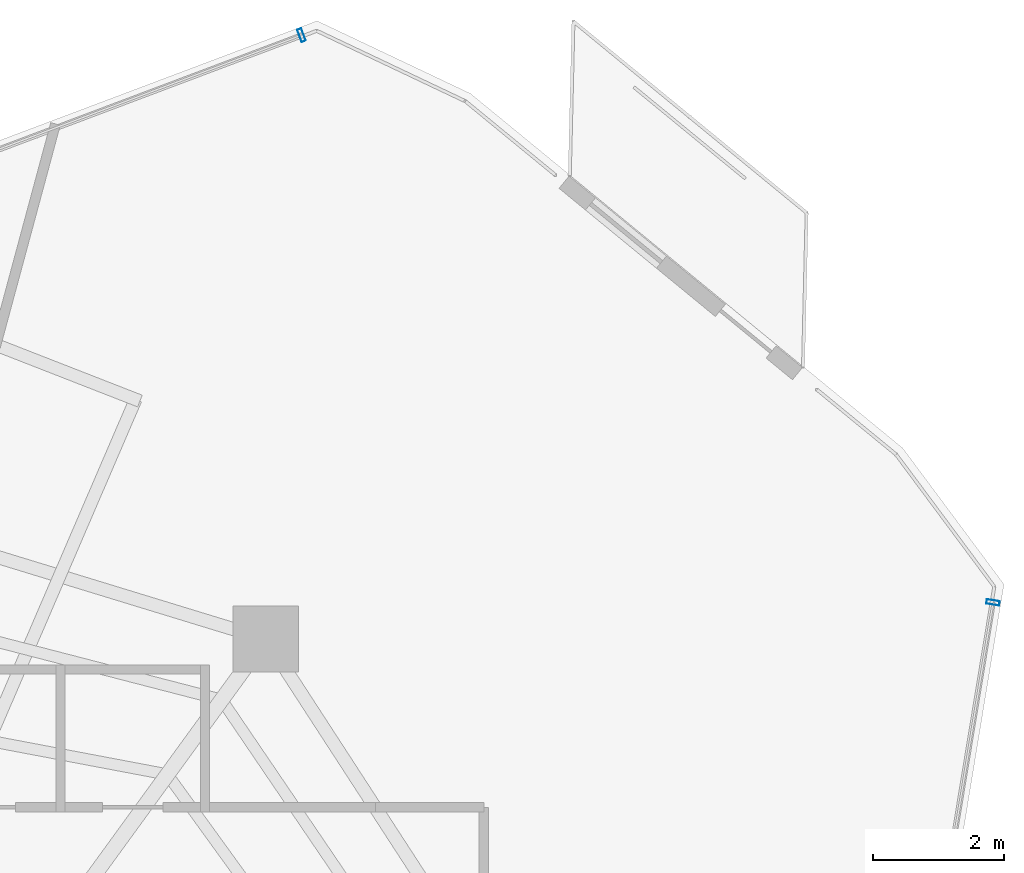
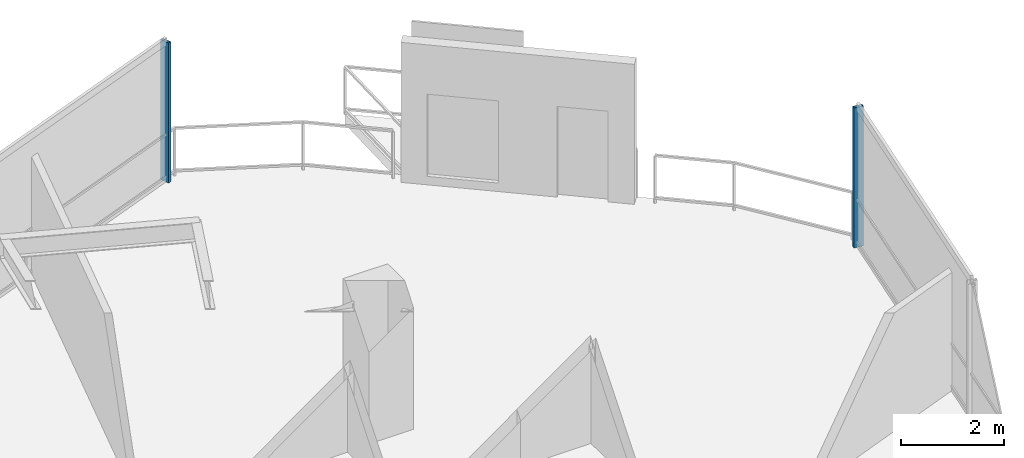
# One storey, part 13 of 19: 2 members, 2 elements without a shape of their own.
"""IFC4 building model written with IfcOpenShell, lengths in metres."""

from ifc_helpers import new_model, si_unit, direction, frame, origin, origin_2d, place, context, subcontext, project, spatial, hollow_rectangle, extrude, material, layer, layer_set, material_profile, profile_set, type_object, element, aggregate, save


model = new_model("IFC4")

# Units and contexts
model_context = context("Model", 3, precision=1e-05, world=origin(), true_north=direction((0.0, 1.0)))
body_context = subcontext(model_context, "Body", "Model", "MODEL_VIEW")
ifc_project = project(units=[si_unit("LENGTHUNIT", "METRE"), si_unit("AREAUNIT", "SQUARE_METRE"), si_unit("VOLUMEUNIT", "CUBIC_METRE"), si_unit("PLANEANGLEUNIT", "RADIAN"), si_unit("MASSUNIT", "GRAM", prefix="KILO")], contexts=[model_context])

# Site, building, storey
site_placement = place(None, origin())
site = spatial("IfcSite", under=ifc_project, at=site_placement, CompositionType="ELEMENT")
building_placement = place(site_placement, origin())
building = spatial("IfcBuilding", under=site, at=building_placement, Name="Qarnah Convention Tower", CompositionType="ELEMENT")
storey_placement = place(building_placement, frame((0.0, 0.0, 143.699951171875)))
storey = spatial("IfcBuildingStorey", under=building, at=storey_placement, Name="L38", CompositionType="ELEMENT", Elevation=143.699951171875)

# Curtain wall, member
ifc_material_1 = material(Name="Tempered Low-E dark glass", Category="glass")
ifc_layer = layer(ifc_material_1, 0.172119140625)
ifc_layer_set = layer_set([ifc_layer], Name="Tempered Low-E dark glass")
curtain_wall_type = type_object("IfcCurtainWallType", Name="CWS-03", PredefinedType="NOTDEFINED", material=ifc_layer_set)
curtain_wall_1_placement = place(storey_placement, origin())
curtain_wall_1 = element("IfcCurtainWall", 1, at=curtain_wall_1_placement, inside=storey, type_object=curtain_wall_type, Name="L38 unitised curtain wall CW-L38-F1", PredefinedType="NOTDEFINED")
ifc_material_2 = material(Name="Black anodised aluminium", Category="aluminium")
ifc_material_profile = material_profile(ifc_material_2, hollow_rectangle(XDim=0.070068359375, YDim=0.199951171875, WallThickness=0.0048828125, at=origin_2d()), Name="MUL-70X200")
ifc_profile_set = profile_set([ifc_material_profile], Name="Black anodised aluminium")
member_type = type_object("IfcMemberType", Name="MUL-T3", PredefinedType="MULLION", material=ifc_profile_set)
member_1_placement = place(storey_placement, frame((46.471923828125, 47.617919921875, 0.0), z_axis=(0.0, 0.0, 1.0), x_axis=(0.935807265092, 0.352512074404, 0.0)))
member_1 = element("IfcMember", 2, at=member_1_placement, type_object=member_type, Name="CW-L38-F1 mullion 6", PredefinedType="MULLION", context=body_context, shape_type="SweptSolid", body=[
    extrude(hollow_rectangle(XDim=0.070068359375, YDim=0.199951171875, WallThickness=0.0048828125, at=origin_2d()), origin(), (0.0, 0.0, 1.0), 3.320068359375),
])
aggregate(curtain_wall_1, [member_1])

curtain_wall_2_placement = place(storey_placement, origin())
curtain_wall_2 = element("IfcCurtainWall", 3, at=curtain_wall_2_placement, inside=storey, type_object=curtain_wall_type, Name="L38 unitised curtain wall CW-L38-F3", PredefinedType="NOTDEFINED")
member_2_placement = place(storey_placement, frame((57.011962890625, 38.971923828125, 0.0), z_axis=(0.0, 0.0, 1.0), x_axis=(-0.162652354026, -0.986683440486, 0.0)))
member_2 = element("IfcMember", 4, at=member_2_placement, type_object=member_type, Name="CW-L38-F3 mullion 1", PredefinedType="MULLION", context=body_context, shape_type="SweptSolid", body=[
    extrude(hollow_rectangle(XDim=0.070068359375, YDim=0.199951171875, WallThickness=0.0048828125, at=origin_2d()), origin(), (0.0, 0.0, 1.0), 3.320068359375),
])
aggregate(curtain_wall_2, [member_2])

save(model, "model.ifc")
